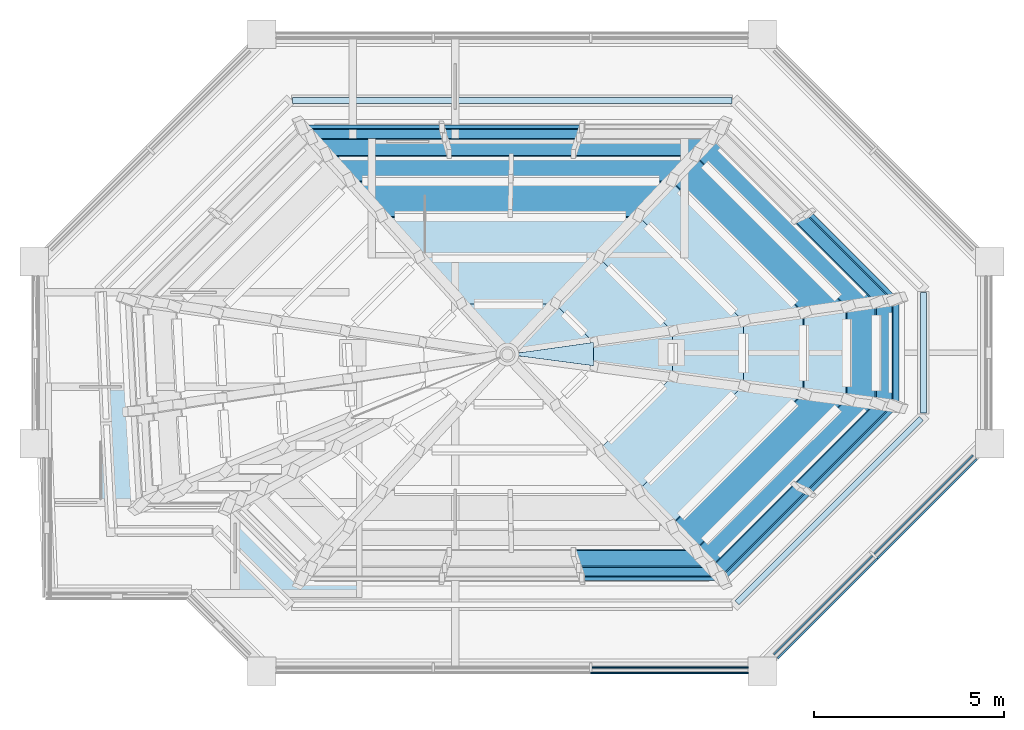
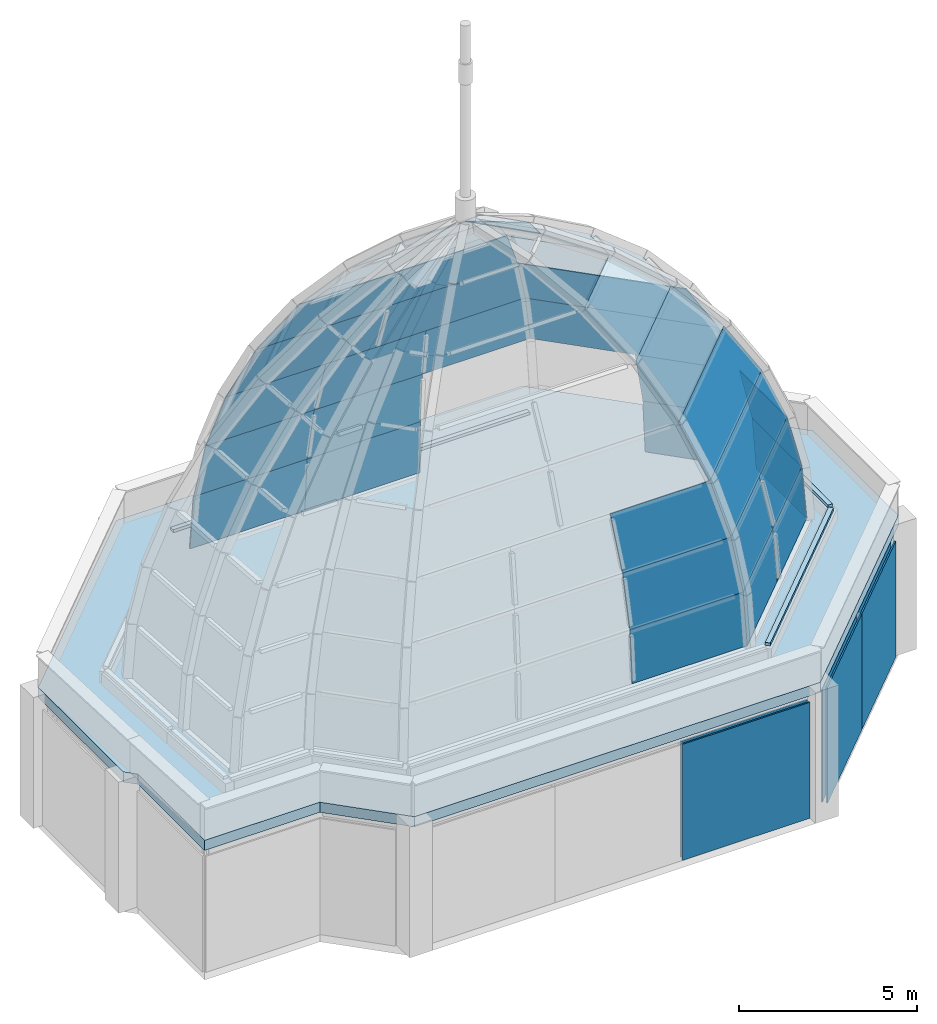
# One storey, part 3 of 9: 50 plates, 1 slab, 2 elements without a shape of their own.
"""IFC4 building model written with IfcOpenShell, lengths in metres."""

import ifcopenshell
import ifcopenshell.guid

model = None  # the IFC model being written
_history = None  # IfcOwnerHistory: only IFC2X3 demands one
_inside = {}  # id of a spatial element -> (the spatial element, [elements in it])
_under = {}  # id of a project, library or spatial element -> (it, [spatial elements below it])
_declared = {}  # id of a project -> (the project, [libraries it declares])
_typed = {}  # id of a type object -> (the type object, [elements of that type])
_made_of = {}  # id of a material, layer set ... -> (it, [elements and type objects made of it])


def new_model(schema):
    """Start an empty IFC model of exactly this schema.

    Asked for "IFC4X3", IfcOpenShell would pick the latest addendum, in which some entities
    have other attributes; the version numbers below select the first issue.
    IFC2X3 requires an IfcOwnerHistory on every rooted entity: one is made here for all.
    """
    global model, _history
    if schema == "IFC4X3":
        model = ifcopenshell.file(schema_version=(4, 3, 0, 0))
    else:
        model = ifcopenshell.file(schema=schema)
    _inside.clear()
    _under.clear()
    _declared.clear()
    _typed.clear()
    _made_of.clear()
    _history = None
    if model.schema == "IFC2X3":
        org = make("IfcOrganization", Name="unknown")
        user = make(
            "IfcPersonAndOrganization",
            ThePerson=make("IfcPerson", FamilyName="unknown"),
            TheOrganization=org,
        )
        app = make(
            "IfcApplication",
            ApplicationDeveloper=org,
            Version="unknown",
            ApplicationFullName="unknown",
            ApplicationIdentifier="unknown",
        )
        _history = make(
            "IfcOwnerHistory",
            OwningUser=user,
            OwningApplication=app,
            ChangeAction="ADDED",
            CreationDate=0,
        )
    return model


def make(cls, **values):
    """One entity of the class cls with the attributes given. An attribute that is None is left unset."""
    return model.create_entity(
        cls, **{name: value for name, value in values.items() if value is not None}
    )


def rooted(cls, **values):
    """An entity with a GlobalId (a new one), such as an element, a storey or a relation."""
    return make(cls, GlobalId=ifcopenshell.guid.new(), OwnerHistory=_history, **values)


def si_unit(unit_type, name, prefix=None):
    """IfcSIUnit, for example si_unit("LENGTHUNIT", "METRE", prefix="MILLI")."""
    return make("IfcSIUnit", UnitType=unit_type, Prefix=prefix, Name=name)


def assignment(units):
    """IfcUnitAssignment: the units of a project."""
    return None if units is None else make("IfcUnitAssignment", Units=units)


def point(xyz):
    """IfcCartesianPoint."""
    return None if xyz is None else make("IfcCartesianPoint", Coordinates=xyz)


def direction(xyz):
    """IfcDirection."""
    return None if xyz is None else make("IfcDirection", DirectionRatios=xyz)


def frame(location, z_axis=None, x_axis=None):
    """IfcAxis2Placement3D, a coordinate frame: its origin and axes. An axis left out is left unset."""
    return make(
        "IfcAxis2Placement3D",
        Location=point(location),
        Axis=direction(z_axis),
        RefDirection=direction(x_axis),
    )


def frame_2d(location, x_axis=None):
    """IfcAxis2Placement2D, a coordinate frame in the plane: its origin and x axis."""
    return make(
        "IfcAxis2Placement2D", Location=point(location), RefDirection=direction(x_axis)
    )


def origin():
    """The frame at (0, 0, 0) with its axes left unset."""
    return frame((0.0, 0.0, 0.0))


def origin_2d():
    """The frame at (0, 0) in the plane with its x axis left unset."""
    return frame_2d((0.0, 0.0))


def place(relative_to, where):
    """IfcLocalPlacement: puts the frame where relative to a parent placement (None: the world)."""
    return make(
        "IfcLocalPlacement", PlacementRelTo=relative_to, RelativePlacement=where
    )


def context(
    kind, dimensions, precision=None, world=None, true_north=None, identifier=None
):
    """IfcGeometricRepresentationContext, for example the 3D "Model" context."""
    return make(
        "IfcGeometricRepresentationContext",
        ContextIdentifier=identifier,
        ContextType=kind,
        CoordinateSpaceDimension=dimensions,
        Precision=precision,
        WorldCoordinateSystem=world,
        TrueNorth=true_north,
    )


def subcontext(parent, identifier, kind, view, scale=None):
    """IfcGeometricRepresentationSubContext, for example "Body" below "Model"."""
    return make(
        "IfcGeometricRepresentationSubContext",
        ContextIdentifier=identifier,
        ContextType=kind,
        ParentContext=parent,
        TargetScale=scale,
        TargetView=view,
    )


def project(units=None, contexts=None):
    """IfcProject with its units and contexts."""
    return rooted(
        "IfcProject",
        Name="project",
        RepresentationContexts=contexts,
        UnitsInContext=assignment(units),
    )


def spatial(cls, under=None, at=None, **own):
    """A site, building, storey or space (cls), placed at a placement, below another one or the project."""
    s = rooted(cls, ObjectPlacement=at, **own)
    if under is not None:
        _under.setdefault(under.id(), (under, []))[1].append(s)
    return s


def polyline(points):
    """IfcPolyline through the points."""
    return make("IfcPolyline", Points=[point(p) for p in points])


def profile(cls, at=None, kind="AREA", **sizes):
    """A parametric profile (cls). Its sizes go by their IFC names, for example OverallWidth=200.0."""
    return make(cls, ProfileType=kind, Position=at, **sizes)


def rectangle(**sizes):
    """IfcRectangleProfileDef."""
    return profile("IfcRectangleProfileDef", **sizes)


def outline(outer, holes=None, kind="AREA"):
    """IfcArbitraryClosedProfileDef: a profile drawn as a closed curve; with holes, ...WithVoids."""
    if holes is None:
        return make("IfcArbitraryClosedProfileDef", ProfileType=kind, OuterCurve=outer)
    return make(
        "IfcArbitraryProfileDefWithVoids",
        ProfileType=kind,
        OuterCurve=outer,
        InnerCurves=holes,
    )


def extrude(swept, where, along, depth):
    """IfcExtrudedAreaSolid: the profile swept, set in the frame where, extruded along a direction by depth."""
    return make(
        "IfcExtrudedAreaSolid",
        SweptArea=swept,
        Position=where,
        ExtrudedDirection=direction(along),
        Depth=depth,
    )


def shape(context_of_items, identifier, shape_type, items):
    """IfcShapeRepresentation: the items that make up one representation, for example the "Body"."""
    return make(
        "IfcShapeRepresentation",
        ContextOfItems=context_of_items,
        RepresentationIdentifier=identifier,
        RepresentationType=shape_type,
        Items=items,
    )


def material(Name=None, Category=None):
    """IfcMaterial."""
    return make("IfcMaterial", Name=Name, Category=Category)


def layer(
    of_material, thickness, ventilated=None, Name=None, Category=None, Priority=None
):
    """IfcMaterialLayer: one layer of a wall or slab, of a material (None: an air gap)."""
    return make(
        "IfcMaterialLayer",
        Material=of_material,
        LayerThickness=thickness,
        IsVentilated=ventilated,
        Name=Name,
        Category=Category,
        Priority=Priority,
    )


def layer_set(layers, Name=None):
    """IfcMaterialLayerSet."""
    return make("IfcMaterialLayerSet", MaterialLayers=layers, LayerSetName=Name)


def made_of(thing, what):
    """Note that an element or type object is made of a material, layer set ...; save() writes the relation."""
    if what is not None:
        _made_of.setdefault(what.id(), (what, []))[1].append(thing)
    return thing


def type_object(cls, material=None, **own):
    """A type object (cls), such as IfcWallType, which elements share."""
    return made_of(rooted(cls, **own), material)


def element(
    cls,
    number,
    at=None,
    inside=None,
    cuts=None,
    type_object=None,
    material=None,
    context=None,
    identifier="Body",
    shape_type=None,
    held_by="IfcProductDefinitionShape",
    body=None,
    shapes=None,
    **own,
):
    """One element of the class cls, such as IfcWall. Its Tag is "e" and its number.

    at: its placement. inside: the storey or other place that contains it. cuts: it is an
    opening in that element (IfcRelVoidsElement). A single representation is given by context,
    identifier, shape_type and body (its items); several are given by shapes. held_by: the class
    of the entity that holds the representations. save() writes the other relations.
    """
    e = rooted(cls, Tag="e%d" % number, ObjectPlacement=at, **own)
    if body is not None:
        shapes = [shape(context, identifier, shape_type, body)]
    if shapes is not None:
        e.Representation = make(held_by, Representations=shapes)
    if inside is not None:
        _inside.setdefault(inside.id(), (inside, []))[1].append(e)
    if cuts is not None:
        rooted(
            "IfcRelVoidsElement", RelatingBuildingElement=cuts, RelatedOpeningElement=e
        )
    if type_object is not None:
        _typed.setdefault(type_object.id(), (type_object, []))[1].append(e)
    return made_of(e, material)


def aggregate(whole, parts):
    """IfcRelAggregates: a whole, such as a stair, and the parts it consists of."""
    return rooted("IfcRelAggregates", RelatingObject=whole, RelatedObjects=parts)


def save(model, path):
    """Write the relations noted so far, then the file.

    IfcRelAggregates (storeys below a building ...), IfcRelContainedInSpatialStructure (elements
    in a storey), IfcRelDefinesByType, IfcRelAssociatesMaterial and IfcRelDeclares: one each for
    every whole, place, type object, material and project.
    """
    for whole, parts in _under.values():
        aggregate(whole, parts)
    for where, things in _inside.values():
        rooted(
            "IfcRelContainedInSpatialStructure",
            RelatedElements=things,
            RelatingStructure=where,
        )
    for kind, things in _typed.values():
        rooted("IfcRelDefinesByType", RelatedObjects=things, RelatingType=kind)
    for what, things in _made_of.values():
        rooted("IfcRelAssociatesMaterial", RelatedObjects=things, RelatingMaterial=what)
    for by, libraries in _declared.values():
        rooted("IfcRelDeclares", RelatingContext=by, RelatedDefinitions=libraries)
    model.write(path)


model = new_model("IFC4")

# Units and contexts
model_context = context("Model", 3, precision=1e-05, world=origin(), true_north=direction((0.0, 1.0)))
body_context = subcontext(model_context, "Body", "Model", "MODEL_VIEW")
ifc_project = project(units=[si_unit("LENGTHUNIT", "METRE"), si_unit("AREAUNIT", "SQUARE_METRE"), si_unit("VOLUMEUNIT", "CUBIC_METRE"), si_unit("PLANEANGLEUNIT", "RADIAN"), si_unit("MASSUNIT", "GRAM", prefix="KILO")], contexts=[model_context])

# Site, building, storey
site_placement = place(None, origin())
site = spatial("IfcSite", under=ifc_project, at=site_placement, CompositionType="ELEMENT")
building_placement = place(site_placement, origin())
building = spatial("IfcBuilding", under=site, at=building_placement, Name="Kawkab Arch Medical Tower", CompositionType="ELEMENT")
storey_placement = place(building_placement, frame((0.0, 0.0, 359.199951171875)))
storey = spatial("IfcBuildingStorey", under=building, at=storey_placement, Name="L83", CompositionType="ELEMENT", Elevation=359.199951171875)

# Plates
ifc_material_1 = material(Name="Steel S355", Category="steel")
ifc_layer_1 = layer(ifc_material_1, 0.10009765625)
ifc_layer_set_1 = layer_set([ifc_layer_1], Name="Steel S355")
plate_type_1 = type_object("IfcPlateType", Name="BMU rail 150 x 100", PredefinedType="USERDEFINED", material=ifc_layer_set_1)
plate_1_placement = place(storey_placement, frame((12.60009765625, -26.949951171875, 4.89990234375), z_axis=(0.0, 0.0, 1.0), x_axis=(1.0, 0.0, 0.0)))
element("IfcPlate", 1, at=plate_1_placement, inside=storey, type_object=plate_type_1, Name="BMU rail 2", ObjectType="BMU RAIL", PredefinedType="USERDEFINED", context=body_context, shape_type="SweptSolid", body=[
    extrude(rectangle(XDim=11.59033203125, YDim=0.14990234375, at=origin_2d()), origin(), (0.0, 0.0, 1.0), 0.10009765625),
])
plate_2_placement = place(storey_placement, frame((23.449951171875, -33.60009765625, 4.89990234375), z_axis=(0.0, 0.0, 1.0), x_axis=(0.0, -1.0, 0.0)))
element("IfcPlate", 2, at=plate_2_placement, inside=storey, type_object=plate_type_1, Name="BMU rail 4", ObjectType="BMU RAIL", PredefinedType="USERDEFINED", context=body_context, shape_type="SweptSolid", body=[
    extrude(rectangle(XDim=3.190185546875, YDim=0.14990234375, at=origin_2d()), origin(), (0.0, 0.0, 1.0), 0.10009765625),
])
plate_3_placement = place(storey_placement, frame((20.962646484375, -37.7626953125, 4.89990234375), z_axis=(0.0, 0.0, 1.0), x_axis=(-0.707106781187, -0.707106781187, 0.0)))
element("IfcPlate", 3, at=plate_3_placement, inside=storey, type_object=plate_type_1, Name="BMU rail 5", ObjectType="BMU RAIL", PredefinedType="USERDEFINED", context=body_context, shape_type="SweptSolid", body=[
    extrude(rectangle(XDim=6.87548828125, YDim=0.14990234375, at=origin_2d()), origin(), (0.0, 0.0, 1.0), 0.10009765625),
])

# Curtain wall, plate
ifc_material_2 = material(Name="Bronze anodised aluminium curtain wall frame", Category="aluminium")
ifc_layer_2 = layer(ifc_material_2, 0.159912109375)
ifc_layer_set_2 = layer_set([ifc_layer_2], Name="Bronze anodised aluminium curtain wall frame")
curtain_wall_type = type_object("IfcCurtainWallType", Name="CW6 helipad lobby and crown glazing", PredefinedType="NOTDEFINED", material=ifc_layer_set_2)
placement = place(storey_placement, origin())
curtain_wall_1 = element("IfcCurtainWall", 4, at=placement, inside=storey, type_object=curtain_wall_type, Name="CW6 Helipad lobby and crown glazing R06", PredefinedType="NOTDEFINED")
ifc_material_3 = material(Name="Tinted laminated insulating glass, low iron", Category="glass")
ifc_layer_3 = layer(ifc_material_3, 0.0400390625)
ifc_layer_set_3 = layer_set([ifc_layer_3], Name="Tinted laminated insulating glass, low iron")
plate_type_2 = type_object("IfcPlateType", Name="CW6 glazing unit 40", PredefinedType="CURTAIN_PANEL", material=ifc_layer_set_3)
plate_4_placement = place(storey_placement, frame((16.767578125, -41.89990234375, 0.0), z_axis=(0.0, 0.0, 1.0), x_axis=(1.0, 0.0, 0.0)))
plate_4 = element("IfcPlate", 5, at=plate_4_placement, type_object=plate_type_2, Name="CW6 glazing unit 1.3", PredefinedType="CURTAIN_PANEL", context=body_context, shape_type="SweptSolid", body=[
    extrude(rectangle(XDim=4.114990234375, YDim=0.0400390625, at=origin_2d()), origin(), (0.0, 0.0, 1.0), 3.989990234375),
])
aggregate(curtain_wall_1, [plate_4])

# Curtain wall, plates
curtain_wall_2 = element("IfcCurtainWall", 6, at=placement, inside=storey, type_object=curtain_wall_type, Name="CW6 Helipad lobby and crown glazing R07", PredefinedType="NOTDEFINED")
plate_5_placement = place(storey_placement, frame((20.804443359375, -40.254150390625, 0.0), z_axis=(0.0, 0.0, 1.0), x_axis=(0.707106781187, 0.707106781187, 0.0)))
plate_5 = element("IfcPlate", 7, at=plate_5_placement, type_object=plate_type_2, Name="CW6 glazing unit 1.1", PredefinedType="CURTAIN_PANEL", context=body_context, shape_type="SweptSolid", body=[
    extrude(rectangle(XDim=3.67724609375, YDim=0.0400390625, at=origin_2d()), origin(), (0.0, 0.0, 1.0), 3.989990234375),
])
plate_6_placement = place(storey_placement, frame((23.4541015625, -37.6044921875, 0.0), z_axis=(0.0, 0.0, 1.0), x_axis=(0.707106781187, 0.707106781187, 0.0)))
plate_6 = element("IfcPlate", 8, at=plate_6_placement, type_object=plate_type_2, Name="CW6 glazing unit 1.2", PredefinedType="CURTAIN_PANEL", context=body_context, shape_type="SweptSolid", body=[
    extrude(rectangle(XDim=3.67724609375, YDim=0.0400390625, at=origin_2d()), origin(), (0.0, 0.0, 1.0), 3.989990234375),
])
aggregate(curtain_wall_2, [plate_5, plate_6])

# Plates
ifc_material_4 = material(Name="Laminated tinted glass", Category="glass")
ifc_layer_4 = layer(ifc_material_4, 0.031982421875)
ifc_layer_set_4 = layer_set([ifc_layer_4], Name="Laminated tinted glass")
plate_type_3 = type_object("IfcPlateType", Name="Crown glazing panel 32", PredefinedType="USERDEFINED", material=ifc_layer_set_4)
plate_7_placement = place(storey_placement, frame((14.468505859375, -39.60009765625, 4.650146484375), z_axis=(0.0, -0.998924421015, 0.046368104329), x_axis=(1.0, 0.0, 0.0)))
element("IfcPlate", 9, at=plate_7_placement, inside=storey, type_object=plate_type_3, Name="Crown glazing, peak B face 3 row 1 bay 3", ObjectType="CROWN GLAZING", PredefinedType="USERDEFINED", context=body_context, shape_type="SweptSolid", body=[
    extrude(outline(polyline([(0.0, 0.0), (3.7373046875, 0.0), (3.65625, 1.8217836910025784), (-0.028076171875, 1.8217836910025784), (0.0, 0.0)])), origin(), (0.0, 0.0, -1.0), 0.031982421875),
])
plate_8_placement = place(storey_placement, frame((18.205810546875, -39.60009765625, 4.650146484375), z_axis=(0.705648770287, -0.705648770287, 0.064184312618), x_axis=(0.707106781187, 0.707106781187, 0.0)))
element("IfcPlate", 10, at=plate_8_placement, inside=storey, type_object=plate_type_3, Name="Crown glazing, peak B face 4 row 1 bay 1", ObjectType="CROWN GLAZING", PredefinedType="USERDEFINED", context=body_context, shape_type="SweptSolid", body=[
    extrude(outline(polyline([(0.0, 0.0), (3.248617043058704, 0.0), (3.204768136217546, 1.8235843380314258), (0.002416868881008706, 1.8235843380314258), (0.0, 0.0)])), origin(), (0.0, 0.0, -1.0), 0.031982421875),
])
plate_9_placement = place(storey_placement, frame((20.5029296875, -37.302978515625, 4.650146484375), z_axis=(0.705648770287, -0.705648770287, 0.064184312618), x_axis=(0.707106781187, 0.707106781187, 0.0)))
element("IfcPlate", 11, at=plate_9_placement, inside=storey, type_object=plate_type_3, Name="Crown glazing, peak B face 4 row 1 bay 2", ObjectType="CROWN GLAZING", PredefinedType="USERDEFINED", context=body_context, shape_type="SweptSolid", body=[
    extrude(outline(polyline([(0.0, 0.0), (3.248617043058704, 0.0), (3.158847627478381, 1.8235843380314258), (-0.043848906841157984, 1.8235843380314256), (0.0, 0.0)])), origin(), (0.0, 0.0, -1.0), 0.031982421875),
])
plate_10_placement = place(storey_placement, frame((22.800048828125, -35.005859375, 4.650146484375), z_axis=(0.996786726597, 0.0, 0.080101321335), x_axis=(0.0, 1.0, 0.0)))
element("IfcPlate", 12, at=plate_10_placement, inside=storey, type_object=plate_type_3, Name="Crown glazing, peak B face 5 row 1 bay 1", ObjectType="CROWN GLAZING", PredefinedType="USERDEFINED", context=body_context, shape_type="SweptSolid", body=[
    extrude(outline(polyline([(0.0, 0.0), (2.811767578125, 0.0), (2.791259765625, 1.8256906619959208), (0.019287109375, 1.8256906619959208), (0.0, 0.0)])), origin(), (0.0, 0.0, -1.0), 0.031982421875),
])
plate_11_placement = place(storey_placement, frame((22.800048828125, -32.194091796875, 4.650146484375), z_axis=(0.705589574998, 0.70566510779, 0.064653749317), x_axis=(-0.707144624634, 0.707068935714, -2.4407e-08)))
element("IfcPlate", 13, at=plate_11_placement, inside=storey, type_object=plate_type_3, Name="Crown glazing, peak B face 6 row 1 bay 1", ObjectType="CROWN GLAZING", PredefinedType="USERDEFINED", context=body_context, shape_type="SweptSolid", body=[
    extrude(outline(polyline([(0.0, 0.0), (3.2484444141541404, 0.0), (3.2914364195494383, 1.823639795567729), (0.08891251406869612, 1.8236396377884307), (0.0, 0.0)])), origin(), (0.0, 0.0, -1.0), 0.031982421875),
])
plate_12_placement = place(storey_placement, frame((14.468505859375, -27.60009765625, 4.650146484375), z_axis=(0.0, 0.998893162272, 0.047036691703), x_axis=(-1.0, 0.0, 0.0)))
element("IfcPlate", 14, at=plate_12_placement, inside=storey, type_object=plate_type_3, Name="Crown glazing, peak B face 7 row 1 bay 2", ObjectType="CROWN GLAZING", PredefinedType="USERDEFINED", context=body_context, shape_type="SweptSolid", body=[
    extrude(outline(polyline([(0.0, 0.0), (3.737060546875, 0.0), (3.71240234375, 1.821840700772167), (0.028076171875, 1.821840700772167), (0.0, 0.0)])), origin(), (0.0, 0.0, -1.0), 0.031982421875),
])
plate_13_placement = place(storey_placement, frame((10.7314453125, -27.60009765625, 4.650146484375), z_axis=(0.0, 0.998893162272, 0.047036691703), x_axis=(-1.0, 0.0, 0.0)))
element("IfcPlate", 15, at=plate_13_placement, inside=storey, type_object=plate_type_3, Name="Crown glazing, peak B face 7 row 1 bay 3", ObjectType="CROWN GLAZING", PredefinedType="USERDEFINED", context=body_context, shape_type="SweptSolid", body=[
    extrude(outline(polyline([(0.0, 0.0), (3.7373046875, 0.0), (3.659423828125, 1.821840700772167), (-0.024658203125, 1.821840700772167), (0.0, 0.0)])), origin(), (0.0, 0.0, -1.0), 0.031982421875),
])
plate_14_placement = place(storey_placement, frame((14.4404296875, -39.515625, 6.469970703125), z_axis=(0.0, -0.990134578765, 0.140119648638), x_axis=(1.0, 0.0, 0.0)))
element("IfcPlate", 16, at=plate_14_placement, inside=storey, type_object=plate_type_3, Name="Crown glazing, peak B face 3 row 2 bay 3", ObjectType="CROWN GLAZING", PredefinedType="USERDEFINED", context=body_context, shape_type="SweptSolid", body=[
    extrude(outline(polyline([(0.0, 0.0), (3.684326171875, 0.0), (3.436767578125, 1.8382030063486279), (-0.0859375, 1.8382030063486279), (0.0, 0.0)])), origin(), (0.0, 0.0, -1.0), 0.031982421875),
])
plate_15_placement = place(storey_placement, frame((18.124755859375, -39.515625, 6.469970703125), z_axis=(0.69387181952, -0.69387181952, 0.192571535156), x_axis=(0.707106781187, 0.707106781187, 0.0)))
element("IfcPlate", 17, at=plate_15_placement, inside=storey, type_object=plate_type_3, Name="Crown glazing, peak B face 4 row 2 bay 1", ObjectType="CROWN GLAZING", PredefinedType="USERDEFINED", context=body_context, shape_type="SweptSolid", body=[
    extrude(outline(polyline([(0.0, 0.0), (3.2023512673365375, 0.0), (3.0689055784065564, 1.8547844759390988), (0.007077973151525502, 1.8547844759390988), (0.0, 0.0)])), origin(), (0.0, 0.0, -1.0), 0.031982421875),
])
plate_16_placement = place(storey_placement, frame((20.38916015625, -37.251220703125, 6.469970703125), z_axis=(0.69387181952, -0.69387181952, 0.192571535156), x_axis=(0.707106781187, 0.707106781187, 0.0)))
element("IfcPlate", 18, at=plate_16_placement, inside=storey, type_object=plate_type_3, Name="Crown glazing, peak B face 4 row 2 bay 2", ObjectType="CROWN GLAZING", PredefinedType="USERDEFINED", context=body_context, shape_type="SweptSolid", body=[
    extrude(outline(polyline([(0.0, 0.0), (3.202696534319539, 0.0), (2.9287271833080517, 1.8547844759390988), (-0.13344568892998077, 1.8547844759390988), (0.0, 0.0)])), origin(), (0.0, 0.0, -1.0), 0.031982421875),
])
plate_17_placement = place(storey_placement, frame((22.65380859375, -34.986572265625, 6.469970703125), z_axis=(0.971228471511, 0.0, 0.238149650694), x_axis=(0.0, 1.0, 0.0)))
element("IfcPlate", 19, at=plate_17_placement, inside=storey, type_object=plate_type_3, Name="Crown glazing, peak B face 5 row 2 bay 1", ObjectType="CROWN GLAZING", PredefinedType="USERDEFINED", context=body_context, shape_type="SweptSolid", body=[
    extrude(outline(polyline([(0.0, 0.0), (2.77197265625, 0.0), (2.709228515625, 1.873985795064929), (0.058837890625, 1.873985795064929), (0.0, 0.0)])), origin(), (0.0, 0.0, -1.0), 0.031982421875),
])
plate_18_placement = place(storey_placement, frame((22.65380859375, -32.214599609375, 6.469970703125), z_axis=(0.693634720923, 0.693711183991, 0.193999142102), x_axis=(-0.707145719869, 0.707067840359, -2.30125e-07)))
element("IfcPlate", 20, at=plate_18_placement, inside=storey, type_object=plate_type_3, Name="Crown glazing, peak B face 6 row 2 bay 1", ObjectType="CROWN GLAZING", PredefinedType="USERDEFINED", context=body_context, shape_type="SweptSolid", body=[
    extrude(outline(polyline([(0.0, 0.0), (3.202523905478728, 0.0), (3.333226861131744, 1.8553169977529265), (0.2712266175214421, 1.8553155282111309), (0.0, 0.0)])), origin(), (0.0, 0.0, -1.0), 0.031982421875),
])
plate_19_placement = place(storey_placement, frame((14.4404296875, -27.685791015625, 6.469970703125), z_axis=(0.0, 0.989856335609, 0.142071935493), x_axis=(-1.0, 0.0, 0.0)))
element("IfcPlate", 21, at=plate_19_placement, inside=storey, type_object=plate_type_3, Name="Crown glazing, peak B face 7 row 2 bay 2", ObjectType="CROWN GLAZING", PredefinedType="USERDEFINED", context=body_context, shape_type="SweptSolid", body=[
    extrude(outline(polyline([(0.0, 0.0), (3.684326171875, 0.0), (3.608642578125, 1.838719715073874), (0.0859375, 1.838719715073874), (0.0, 0.0)])), origin(), (0.0, 0.0, -1.0), 0.031982421875),
])
plate_20_placement = place(storey_placement, frame((10.756103515625, -27.685791015625, 6.469970703125), z_axis=(0.0, 0.989856335609, 0.142071935493), x_axis=(-1.0, 0.0, 0.0)))
element("IfcPlate", 22, at=plate_20_placement, inside=storey, type_object=plate_type_3, Name="Crown glazing, peak B face 7 row 2 bay 3", ObjectType="CROWN GLAZING", PredefinedType="USERDEFINED", context=body_context, shape_type="SweptSolid", body=[
    extrude(outline(polyline([(0.0, 0.0), (3.68408203125, 0.0), (3.447021484375, 1.8387197150738743), (-0.07568359375, 1.8387197150738743), (0.0, 0.0)])), origin(), (0.0, 0.0, -1.0), 0.031982421875),
])
plate_21_placement = place(storey_placement, frame((14.3544921875, -39.258056640625, 8.2900390625), z_axis=(0.0, -0.971529118743, 0.23692017946), x_axis=(1.0, 0.0, 0.0)))
element("IfcPlate", 23, at=plate_21_placement, inside=storey, type_object=plate_type_3, Name="Crown glazing, peak B face 3 row 3 bay 3", ObjectType="CROWN GLAZING", PredefinedType="USERDEFINED", context=body_context, shape_type="SweptSolid", body=[
    extrude(outline(polyline([(0.0, 0.0), (3.522705078125, 0.0), (3.095703125, 1.8734058756064107), (-0.148193359375, 1.8734058756064107), (0.0, 0.0)])), origin(), (0.0, 0.0, -1.0), 0.031982421875),
])
plate_22_placement = place(storey_placement, frame((17.877197265625, -39.258056640625, 8.2900390625), z_axis=(0.669809593202, -0.669809593202, 0.320484348619), x_axis=(0.707106781187, 0.707106781187, 0.0)))
element("IfcPlate", 24, at=plate_22_placement, inside=storey, type_object=plate_type_3, Name="Crown glazing, peak B face 4 row 3 bay 1", ObjectType="CROWN GLAZING", PredefinedType="USERDEFINED", context=body_context, shape_type="SweptSolid", body=[
    extrude(outline(polyline([(0.0, 0.0), (6.124000477493063, 0.0), (5.651502611255861, 1.9214157160469725), (0.011911710913542928, 1.9214157160469725), (0.0, 0.0)])), origin(), (0.0, 0.0, -1.0), 0.031982421875),
])
plate_23_placement = place(storey_placement, frame((22.20751953125, -34.927734375, 8.2900390625), z_axis=(0.921057601517, 0.0, 0.389426366195), x_axis=(0.0, 1.0, 0.0)))
element("IfcPlate", 25, at=plate_23_placement, inside=storey, type_object=plate_type_3, Name="Crown glazing, peak B face 5 row 3 bay 1", ObjectType="CROWN GLAZING", PredefinedType="USERDEFINED", context=body_context, shape_type="SweptSolid", body=[
    extrude(outline(polyline([(0.0, 0.0), (2.650390625, 0.0), (2.542236328125, 1.976063556043825), (0.101318359375, 1.976063556043825), (0.0, 0.0)])), origin(), (0.0, 0.0, -1.0), 0.031982421875),
])
plate_24_placement = place(storey_placement, frame((22.20751953125, -32.27734375, 8.2900390625), z_axis=(0.669268098449, 0.669268098449, 0.322738942176), x_axis=(-0.707106781187, 0.707106781187, 0.0)))
element("IfcPlate", 26, at=plate_24_placement, inside=storey, type_object=plate_type_3, Name="Crown glazing, peak B face 6 row 3 bay 1", ObjectType="CROWN GLAZING", PredefinedType="USERDEFINED", context=body_context, shape_type="SweptSolid", body=[
    extrude(outline(polyline([(0.0, 0.0), (6.124000477493063, 0.0), (6.107255028817503, 1.922970304605518), (0.4676641284751849, 1.9229703046055178), (0.0, 0.0)])), origin(), (0.0, 0.0, -1.0), 0.031982421875),
])
plate_25_placement = place(storey_placement, frame((17.877197265625, -27.947021484375, 8.2900390625), z_axis=(0.0, 0.970683862064, 0.240359813464), x_axis=(-1.0, 0.0, 0.0)))
element("IfcPlate", 27, at=plate_25_placement, inside=storey, type_object=plate_type_3, Name="Crown glazing, peak B face 7 row 3 bay 1", ObjectType="CROWN GLAZING", PredefinedType="USERDEFINED", context=body_context, shape_type="SweptSolid", body=[
    extrude(outline(polyline([(0.0, 0.0), (3.522705078125, 0.0), (3.6708984375, 1.8750372088237128), (0.427001953125, 1.8750372088237128), (0.0, 0.0)])), origin(), (0.0, 0.0, -1.0), 0.031982421875),
])
plate_26_placement = place(storey_placement, frame((14.3544921875, -27.947021484375, 8.2900390625), z_axis=(0.0, 0.970683862064, 0.240359813464), x_axis=(-1.0, 0.0, 0.0)))
element("IfcPlate", 28, at=plate_26_placement, inside=storey, type_object=plate_type_3, Name="Crown glazing, peak B face 7 row 3 bay 2", ObjectType="CROWN GLAZING", PredefinedType="USERDEFINED", context=body_context, shape_type="SweptSolid", body=[
    extrude(outline(polyline([(0.0, 0.0), (3.522705078125, 0.0), (3.392333984375, 1.8750372088237128), (0.148193359375, 1.8750372088237128), (0.0, 0.0)])), origin(), (0.0, 0.0, -1.0), 0.031982421875),
])
plate_27_placement = place(storey_placement, frame((10.831787109375, -27.947021484375, 8.2900390625), z_axis=(0.0, 0.970683862064, 0.240359813464), x_axis=(-1.0, 0.0, 0.0)))
element("IfcPlate", 29, at=plate_27_placement, inside=storey, type_object=plate_type_3, Name="Crown glazing, peak B face 7 row 3 bay 3", ObjectType="CROWN GLAZING", PredefinedType="USERDEFINED", context=body_context, shape_type="SweptSolid", body=[
    extrude(outline(polyline([(0.0, 0.0), (3.522705078125, 0.0), (3.11376953125, 1.8750372088237128), (-0.13037109375, 1.8750372088237128), (0.0, 0.0)])), origin(), (0.0, 0.0, -1.0), 0.031982421875),
])
plate_28_placement = place(storey_placement, frame((17.4501953125, -38.814208984375, 10.110107421875), z_axis=(0.632183556407, -0.632162890736, 0.44801119471), x_axis=(0.707097543267, 0.707116018955, -6.546714e-06)))
element("IfcPlate", 30, at=plate_28_placement, inside=storey, type_object=plate_type_3, Name="Crown glazing, peak B face 4 row 4 bay 1", ObjectType="CROWN GLAZING", PredefinedType="USERDEFINED", context=body_context, shape_type="SweptSolid", body=[
    extrude(outline(polyline([(0.0, 0.0), (5.639590899740193, -2.220446049250313e-16), (4.940252626800757, 2.0355701049545702), (0.01795388191373161, 2.035492763217788), (0.0, 0.0)])), origin(), (0.0, 0.0, -1.0), 0.031982421875),
])
plate_29_placement = place(storey_placement, frame((21.43798828125, -34.826416015625, 10.110107421875), z_axis=(0.847576423256, 0.0, 0.530673352205), x_axis=(0.0, 1.0, 0.0)))
element("IfcPlate", 31, at=plate_29_placement, inside=storey, type_object=plate_type_3, Name="Crown glazing, peak B face 5 row 4 bay 1", ObjectType="CROWN GLAZING", PredefinedType="USERDEFINED", context=body_context, shape_type="SweptSolid", body=[
    extrude(outline(polyline([(0.0, 0.0), (2.44091796875, 0.0), (2.280517578125, 2.1470916000222866), (0.150390625, 2.1470916000222866), (0.0, 0.0)])), origin(), (0.0, 0.0, -1.0), 0.031982421875),
])
plate_30_placement = place(storey_placement, frame((21.43798828125, -32.385498046875, 10.110107421875), z_axis=(0.631197230788, 0.631176597359, 0.450783938036), x_axis=(-0.70709757207, 0.707115990152, 6.576955e-06)))
element("IfcPlate", 32, at=plate_30_placement, inside=storey, type_object=plate_type_3, Name="Crown glazing, peak B face 6 row 4 bay 1", ObjectType="CROWN GLAZING", PredefinedType="USERDEFINED", context=body_context, shape_type="SweptSolid", body=[
    extrude(outline(polyline([(0.0, 0.0), (5.639590899742071, 0.0), (5.614559044672311, 2.0386733401738835), (0.6922602997906793, 2.0387511605790274), (0.0, 0.0)])), origin(), (0.0, 0.0, -1.0), 0.031982421875),
])
plate_31_placement = place(storey_placement, frame((17.4501953125, -28.397705078125, 10.110107421875), z_axis=(0.0, 0.938841029787, 0.34435086872), x_axis=(-1.0, 0.0, 0.0)))
element("IfcPlate", 33, at=plate_31_placement, inside=storey, type_object=plate_type_3, Name="Crown glazing, peak B face 7 row 4 bay 1", ObjectType="CROWN GLAZING", PredefinedType="USERDEFINED", context=body_context, shape_type="SweptSolid", body=[
    extrude(outline(polyline([(0.0, 0.0), (4.8662109375, 0.0), (4.87939453125, 1.9383731228305268), (0.632080078125, 1.9383731228305268), (0.0, 0.0)])), origin(), (0.0, 0.0, -1.0), 0.031982421875),
])
plate_32_placement = place(storey_placement, frame((12.583984375, -28.397705078125, 10.110107421875), z_axis=(0.0, 0.938841029787, 0.34435086872), x_axis=(-1.0, 0.0, 0.0)))
element("IfcPlate", 34, at=plate_32_placement, inside=storey, type_object=plate_type_3, Name="Crown glazing, peak B face 7 row 4 bay 2", ObjectType="CROWN GLAZING", PredefinedType="USERDEFINED", context=body_context, shape_type="SweptSolid", body=[
    extrude(outline(polyline([(0.0, 0.0), (4.865966796875, 0.0), (4.26025390625, 1.9383731228305268), (0.01318359375, 1.9383731228305268), (0.0, 0.0)])), origin(), (0.0, 0.0, -1.0), 0.031982421875),
])
plate_33_placement = place(storey_placement, frame((16.818115234375, -38.15673828125, 11.929931640625), z_axis=(0.578663814579, -0.578641211407, 0.574736929523), x_axis=(0.707089340615, 0.707124221291, 7.309317e-06)))
element("IfcPlate", 35, at=plate_33_placement, inside=storey, type_object=plate_type_3, Name="Crown glazing, peak B face 4 row 5 bay 1", ObjectType="CROWN GLAZING", PredefinedType="USERDEFINED", context=body_context, shape_type="SweptSolid", body=[
    extrude(outline(polyline([(0.0, 0.0), (4.9222987457864456, 0.0), (3.9417853432988528, 2.2240676002529485), (0.02507668942869638, 2.2241465494026382), (0.0, 0.0)])), origin(), (0.0, 0.0, -1.0), 0.031982421875),
])
plate_34_placement = place(storey_placement, frame((20.298583984375, -34.676025390625, 11.929931640625), z_axis=(0.751632829642, 0.0, 0.659581753389), x_axis=(0.0, 1.0, 0.0)))
element("IfcPlate", 36, at=plate_34_placement, inside=storey, type_object=plate_type_3, Name="Crown glazing, peak B face 5 row 5 bay 1", ObjectType="CROWN GLAZING", PredefinedType="USERDEFINED", context=body_context, shape_type="SweptSolid", body=[
    extrude(outline(polyline([(0.0, 0.0), (2.130126953125, 0.0), (1.905517578125, 2.421485980384566), (0.21044921875, 2.421485980384566), (0.0, 0.0)])), origin(), (0.0, 0.0, -1.0), 0.031982421875),
])
plate_35_placement = place(storey_placement, frame((20.298583984375, -32.5458984375, 11.929931640625), z_axis=(0.57718937668, 0.577144287282, 0.577716967991), x_axis=(-0.707080101873, 0.707133459491, 1.881148e-06)))
element("IfcPlate", 37, at=plate_35_placement, inside=storey, type_object=plate_type_3, Name="Crown glazing, peak B face 6 row 5 bay 1", ObjectType="CROWN GLAZING", PredefinedType="USERDEFINED", context=body_context, shape_type="SweptSolid", body=[
    extrude(outline(polyline([(0.0, 0.0), (4.922298746158416, 2.220446049250313e-16), (4.887381601868575, 2.229816589910225), (0.9705003094923875, 2.2298369612048283), (0.0, 0.0)])), origin(), (0.0, 0.0, -1.0), 0.031982421875),
])
plate_36_placement = place(storey_placement, frame((16.818115234375, -29.065185546875, 11.929931640625), z_axis=(0.0, 0.889384824625, 0.457159308915), x_axis=(-1.0, 0.0, 0.0)))
element("IfcPlate", 38, at=plate_36_placement, inside=storey, type_object=plate_type_3, Name="Crown glazing, peak B face 7 row 5 bay 1", ObjectType="CROWN GLAZING", PredefinedType="USERDEFINED", context=body_context, shape_type="SweptSolid", body=[
    extrude(outline(polyline([(0.0, 0.0), (4.247314453125, 0.0), (4.265869140625, 2.046435141439931), (0.88623046875, 2.046435141439931), (0.0, 0.0)])), origin(), (0.0, 0.0, -1.0), 0.031982421875),
])
plate_37_placement = place(storey_placement, frame((12.57080078125, -29.065185546875, 11.929931640625), z_axis=(0.0, 0.889384824625, 0.457159308915), x_axis=(-1.0, 0.0, 0.0)))
element("IfcPlate", 39, at=plate_37_placement, inside=storey, type_object=plate_type_3, Name="Crown glazing, peak B face 7 row 5 bay 2", ObjectType="CROWN GLAZING", PredefinedType="USERDEFINED", context=body_context, shape_type="SweptSolid", body=[
    extrude(outline(polyline([(0.0, 0.0), (4.2470703125, 0.0), (3.398193359375, 2.046435141439931), (0.0185546875, 2.046435141439931), (0.0, 0.0)])), origin(), (0.0, 0.0, -1.0), 0.031982421875),
])
plate_38_placement = place(storey_placement, frame((15.931884765625, -37.235107421875, 13.75), z_axis=(0.51101416296, -0.511040655477, 0.691159875646), x_axis=(0.707116354159, 0.707097207966, 1.2947525e-05)))
element("IfcPlate", 40, at=plate_38_placement, inside=storey, type_object=plate_type_3, Name="Crown glazing, peak B face 4 row 6 bay 1", ObjectType="CROWN GLAZING", PredefinedType="USERDEFINED", context=body_context, shape_type="SweptSolid", body=[
    extrude(outline(polyline([(0.0, 0.0), (3.9167086544788723, 2.220446049250313e-16), (2.77249387398646, 2.158597773096985), (0.029175058694246556, 2.1587170904395236), (0.0, 0.0)])), origin(), (0.0, 0.0, -1.0), 0.031982421875),
])
plate_39_placement = place(storey_placement, frame((18.701416015625, -34.465576171875, 13.75), z_axis=(0.641813053945, 0.0, 0.766861137225), x_axis=(0.0, 1.0, 0.0)))
element("IfcPlate", 41, at=plate_39_placement, inside=storey, type_object=plate_type_3, Name="Crown glazing, peak B face 5 row 6 bay 1", ObjectType="CROWN GLAZING", PredefinedType="USERDEFINED", context=body_context, shape_type="SweptSolid", body=[
    extrude(outline(polyline([(0.0, 0.0), (1.695068359375, 0.0), (1.432861328125, 2.4307056146045634), (0.245849609375, 2.4307056146045634), (0.0, 0.0)])), origin(), (0.0, 0.0, -1.0), 0.031982421875),
])
plate_40_placement = place(storey_placement, frame((18.701416015625, -32.7705078125, 13.75), z_axis=(0.50914661362, 0.509120220659, 0.693949801322), x_axis=(-0.707082270857, 0.707131290609, -9.071192e-06)))
element("IfcPlate", 42, at=plate_40_placement, inside=storey, type_object=plate_type_3, Name="Crown glazing, peak B face 6 row 6 bay 1", ObjectType="CROWN GLAZING", PredefinedType="USERDEFINED", context=body_context, shape_type="SweptSolid", body=[
    extrude(outline(polyline([(0.0, 0.0), (3.916881292127311, -4.440892098500626e-16), (3.876073517177842, 2.166726511310424), (1.1325820720109425, 2.1666426008100568), (0.0, 0.0)])), origin(), (0.0, 0.0, -1.0), 0.031982421875),
])
plate_41_placement = place(storey_placement, frame((15.931884765625, -30.000732421875, 13.75), z_axis=(0.0, 0.819231920519, 0.573462344363), x_axis=(-1.0, 0.0, 0.0)))
element("IfcPlate", 43, at=plate_41_placement, inside=storey, type_object=plate_type_3, Name="Crown glazing, peak B face 7 row 6 bay 1", ObjectType="CROWN GLAZING", PredefinedType="USERDEFINED", context=body_context, shape_type="SweptSolid", body=[
    extrude(outline(polyline([(0.0, 0.0), (6.75927734375, 0.0), (5.768310546875, 1.9042941988412685), (1.034423828125, 1.9042941988412685), (0.0, 0.0)])), origin(), (0.0, 0.0, -1.0), 0.031982421875),
])
plate_42_placement = place(storey_placement, frame((16.83740234375, -34.2197265625, 15.31005859375), z_axis=(0.529105499652, 0.0, 0.848556050145), x_axis=(0.0, 1.0, 0.0)))
element("IfcPlate", 44, at=plate_42_placement, inside=storey, type_object=plate_type_3, Name="Crown glazing, peak B face 5 row 7 bay 1", ObjectType="CROWN GLAZING", PredefinedType="USERDEFINED", context=body_context, shape_type="SweptSolid", body=[
    extrude(outline(polyline([(0.0, 0.0), (1.18701171875, 0.0), (0.89404296875, 2.457069202609089), (0.27490234375, 2.457069202609089), (0.0, 0.0)])), origin(), (0.0, 0.0, -1.0), 0.031982421875),
])
plate_43_placement = place(storey_placement, frame((16.83740234375, -33.03271484375, 15.31005859375), z_axis=(0.432486420462, 0.432522195665, 0.791125809447), x_axis=(-0.707117721973, 0.707095839947, -2.0013021e-05)))
element("IfcPlate", 45, at=plate_43_placement, inside=storey, type_object=plate_type_3, Name="Crown glazing, peak B face 6 row 7 bay 1", ObjectType="CROWN GLAZING", PredefinedType="USERDEFINED", context=body_context, shape_type="SweptSolid", body=[
    extrude(outline(polyline([(0.0, 0.0), (2.7434914460500597, 0.0), (2.6977435725434065, 2.125554593333521), (1.2671298262643544, 2.125418018522776), (0.0, 0.0)])), origin(), (0.0, 0.0, -1.0), 0.031982421875),
])
plate_44_placement = place(storey_placement, frame((14.8974609375, -31.0927734375, 15.31005859375), z_axis=(0.0, 0.728798398722, 0.684728335926), x_axis=(-1.0, 0.0, 0.0)))
element("IfcPlate", 46, at=plate_44_placement, inside=storey, type_object=plate_type_3, Name="Crown glazing, peak B face 7 row 7 bay 1", ObjectType="CROWN GLAZING", PredefinedType="USERDEFINED", context=body_context, shape_type="SweptSolid", body=[
    extrude(outline(polyline([(0.0, 0.0), (4.73388671875, 0.0), (3.62548828125, 1.7838250336507269), (1.15673828125, 1.7838250336507269), (0.0, 0.0)])), origin(), (0.0, 0.0, -1.0), 0.031982421875),
])
plate_45_placement = place(storey_placement, frame((14.75244140625, -33.94482421875, 16.610107421875), z_axis=(0.416156810538, 0.0, 0.909292862087), x_axis=(0.0, 1.0, 0.0)))
element("IfcPlate", 47, at=plate_45_placement, inside=storey, type_object=plate_type_3, Name="Crown glazing, peak B face 5 row 8 bay 1", ObjectType="CROWN GLAZING", PredefinedType="USERDEFINED", context=body_context, shape_type="SweptSolid", body=[
    extrude(outline(polyline([(0.0, 0.0), (0.619140625, 0.0), (0.299560546875, 2.499151848925803), (0.0, 0.0)])), origin(), (0.0, 0.0, -1.0), 0.031982421875),
])
plate_46_placement = place(storey_placement, frame((14.75244140625, -33.32568359375, 16.610107421875), z_axis=(0.348956078013, 0.349040305886, 0.869712895434), x_axis=(-0.707192103271, 0.707021448806, 0.0)))
element("IfcPlate", 48, at=plate_46_placement, inside=storey, type_object=plate_type_3, Name="Crown glazing, peak B face 6 row 8 bay 1", ObjectType="CROWN GLAZING", PredefinedType="USERDEFINED", context=body_context, shape_type="SweptSolid", body=[
    extrude(outline(polyline([(0.0, 0.0), (1.430613754481576, -1.1102230246251565e-16), (1.381116460146027, 2.1072277318404264), (0.0, 0.0)])), origin(), (0.0, 0.0, -1.0), 0.031982421875),
])
plate_47_placement = place(storey_placement, frame((13.74072265625, -32.314208984375, 16.610107421875), z_axis=(0.0, 0.615700134743, 0.787980548032), x_axis=(-1.0, 0.0, 0.0)))
element("IfcPlate", 49, at=plate_47_placement, inside=storey, type_object=plate_type_3, Name="Crown glazing, peak B face 7 row 8 bay 1", ObjectType="CROWN GLAZING", PredefinedType="USERDEFINED", context=body_context, shape_type="SweptSolid", body=[
    extrude(outline(polyline([(0.0, 0.0), (2.46875, 0.0), (1.2607421875, 1.689197393036587), (0.0, 0.0)])), origin(), (0.0, 0.0, -1.0), 0.031982421875),
])
ifc_material_5 = material(Name="Bronze anodised aluminium perforated screen", Category="aluminium")
ifc_layer_5 = layer(ifc_material_5, 0.050048828125)
ifc_layer_set_5 = layer_set([ifc_layer_5], Name="Bronze anodised aluminium perforated screen")
plate_type_4 = type_object("IfcPlateType", Name="Crown perforated star screen 50", PredefinedType="USERDEFINED", material=ifc_layer_set_5)
plate_48_placement = place(storey_placement, frame((16.75, -42.044921875, 0.0), z_axis=(0.0, 0.0, 1.0), x_axis=(1.0, 0.0, 0.0)))
element("IfcPlate", 50, at=plate_48_placement, inside=storey, type_object=plate_type_4, Name="Crown screen L83 R06.1.3", ObjectType="SCREEN", PredefinedType="USERDEFINED", context=body_context, shape_type="SweptSolid", body=[
    extrude(rectangle(XDim=4.14990234375, YDim=0.050048828125, at=origin_2d()), origin(), (0.0, 0.0, 1.0), 3.989990234375),
])
for number, where, z_axis, x_axis, name in (
    (51, (20.919189453125, -40.34423828125, 0.0), (0.0, 0.0, 1.0), (0.707106781187, 0.707106781187, 0.0), "Crown screen L83 R07.1.1"),
    (52, (23.54443359375, -37.71923828125, 0.0), (0.0, 0.0, 1.0), (0.707106781187, 0.707106781187, 0.0), "Crown screen L83 R07.1.2"),
):
    element("IfcPlate", number, at=place(storey_placement, frame(where, z_axis=z_axis, x_axis=x_axis)), inside=storey, type_object=plate_type_4, Name=name, ObjectType="SCREEN", PredefinedType="USERDEFINED", context=body_context, shape_type="SweptSolid", body=[
        extrude(rectangle(XDim=3.71240234375, YDim=0.050048828125, at=origin_2d()), origin(), (0.0, 0.0, 1.0), 3.989990234375),
    ])

# Slab
ifc_material_6 = material(Name="Concrete C40/50", Category="concrete")
ifc_layer_6 = layer(ifc_material_6, 0.35009765625)
ifc_layer_set_6 = layer_set([ifc_layer_6], Name="Concrete C40/50")
slab_type = type_object("IfcSlabType", Name="Roof slab 350 C40/50", PredefinedType="ROOF", material=ifc_layer_set_6)
slab_placement = place(storey_placement, frame((0.0, 0.0, 4.150146484375)))
element("IfcSlab", 53, at=slab_placement, inside=storey, type_object=slab_type, Name="Crown roof slab B", PredefinedType="ROOF", context=body_context, shape_type="SweptSolid", body=[
    extrude(outline(polyline([(0.0, -36.0), (0.300048828125, -36.300048828125), (0.300048828125, -40.050048828125), (4.050048828125, -40.050048828125), (6.0, -42.0), (19.199951171875, -42.0), (25.199951171875, -36.0), (25.199951171875, -31.199951171875), (19.199951171875, -25.199951171875), (6.0, -25.199951171875), (0.0, -31.199951171875), (0.0, -36.0)])), origin(), (0.0, 0.0, 1.0), 0.349853515625),
])

save(model, "model.ifc")
